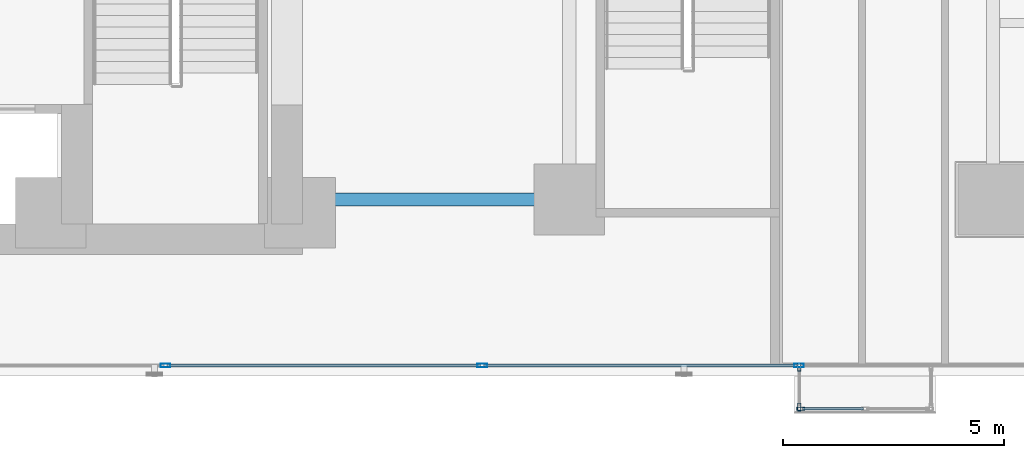
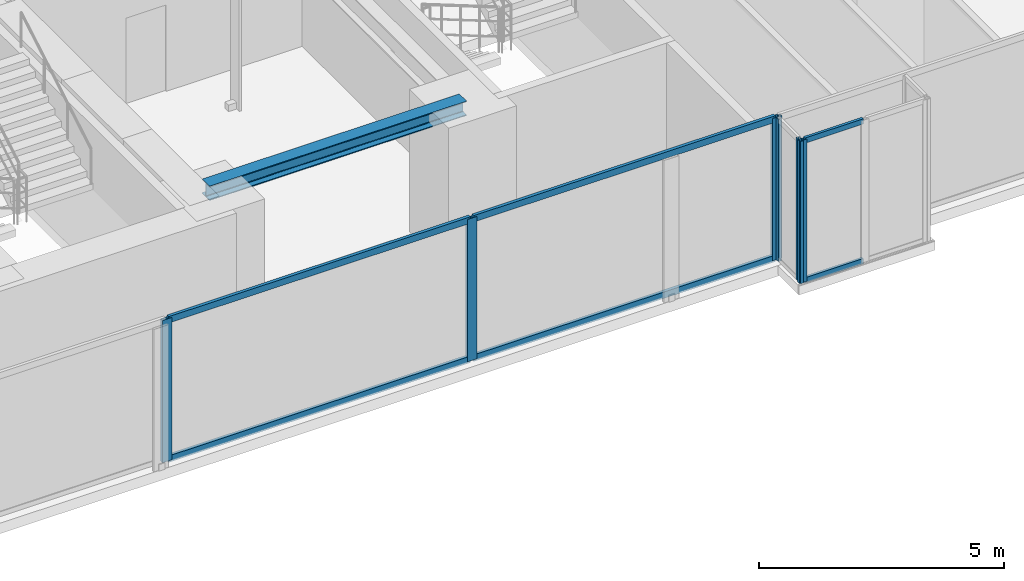
# One storey, part 4 of 29: 12 members, 1 beam, 3 elements without a shape of their own.
"""IFC4 building model written with IfcOpenShell, lengths in metres."""

from ifc_helpers import new_model, si_unit, direction, frame, origin, origin_with_axes, origin_2d, place, context, subcontext, project, spatial, hollow_rectangle, i_section, extrude, source, transform, mapped, material, layer, layer_set, material_profile, profile_set, type_object, element, aggregate, save


model = new_model("IFC4")

# Units and contexts
model_context = context("Model", 3, precision=1e-05, world=origin(), true_north=direction((0.0, 1.0)))
body_context = subcontext(model_context, "Body", "Model", "MODEL_VIEW")
ifc_project = project(units=[si_unit("LENGTHUNIT", "METRE"), si_unit("AREAUNIT", "SQUARE_METRE"), si_unit("VOLUMEUNIT", "CUBIC_METRE"), si_unit("PLANEANGLEUNIT", "RADIAN"), si_unit("MASSUNIT", "GRAM", prefix="KILO")], contexts=[model_context])

# Site, building, storey
site_placement = place(None, origin())
site = spatial("IfcSite", under=ifc_project, at=site_placement, CompositionType="ELEMENT")
building_placement = place(site_placement, origin())
building = spatial("IfcBuilding", under=site, at=building_placement, Name="Kolvaren Waterfront Exchange", CompositionType="ELEMENT")
storey_placement = place(building_placement, frame((0.0, 0.0, 37.199951171875)))
storey = spatial("IfcBuildingStorey", under=building, at=storey_placement, Name="L09", CompositionType="ELEMENT", Elevation=37.199951171875)

# Beam
ifc_material_1 = material(Name="Steel S355", Category="steel")
ifc_material_profile_1 = material_profile(ifc_material_1, i_section(OverallWidth=0.300048828125, OverallDepth=0.360107421875, WebThickness=0.012451171875, FlangeThickness=0.0224609375, FilletRadius=0.027099609375, at=origin_2d()), Name="HEB360")
ifc_profile_set_1 = profile_set([ifc_material_profile_1], Name="Steel S355")
beam_type = type_object("IfcBeamType", Name="STR-BM-HEB360", PredefinedType="SPANDREL", material=ifc_profile_set_1)
beam_placement = place(storey_placement, frame((21.14990234375, 5.199951171875, 3.360107421875), z_axis=(1.0, 0.0, 0.0), x_axis=(0.0, 1.0, 0.0)))
element("IfcBeam", 1, at=beam_placement, inside=storey, type_object=beam_type, Name="L09 east-arm spandrel S1", PredefinedType="SPANDREL", context=body_context, shape_type="SweptSolid", body=[
    extrude(i_section(OverallWidth=0.300048828125, OverallDepth=0.360107421875, WebThickness=0.012451171875, FlangeThickness=0.0224609375, FilletRadius=0.027099609375, at=origin_2d()), origin(), (0.0, 0.0, 1.0), 6.050048828125),
])

# Curtain wall, members
ifc_material_2 = material(Name="Anodised bronze aluminium 6063-T6", Category="aluminium")
ifc_layer_1 = layer(ifc_material_2, 0.219970703125, Name="Anodised bronze aluminium 6063-T6")
ifc_layer_set_1 = layer_set([ifc_layer_1], Name="Anodised bronze aluminium 6063-T6")
curtain_wall_type_1 = type_object("IfcCurtainWallType", Name="ARC-CW-SYS1", PredefinedType="USERDEFINED", material=ifc_layer_set_1)
curtain_wall_1_placement = place(storey_placement, origin())
curtain_wall_1 = element("IfcCurtainWall", 2, at=curtain_wall_1_placement, inside=storey, type_object=curtain_wall_type_1, Name="L09 stick curtain wall CW1 (CW-L09-S)", ObjectType="STICK CURTAIN WALL", PredefinedType="USERDEFINED")
ifc_material_3 = material(Name="Anodised aluminium 6063-T6", Category="aluminium")
ifc_material_profile_2 = material_profile(ifc_material_3, hollow_rectangle(XDim=0.074951171875, YDim=0.159912109375, WallThickness=0.00439453125, at=origin_2d()), Name="ALU-TRN-160x75x4.5")
ifc_profile_set_2 = profile_set([ifc_material_profile_2], Name="Anodised aluminium 6063-T6")
member_type_1 = type_object("IfcMemberType", Name="ARC-CWT-160", PredefinedType="USERDEFINED", material=ifc_profile_set_2)
shared_shape_1 = source(origin_with_axes(), body_context, "Body", "SweptSolid", [
    extrude(hollow_rectangle(XDim=0.074951171875, YDim=0.159912109375, WallThickness=0.00439453125, at=origin_2d()), origin(), (0.0, 0.0, 1.0), 7.094970703125),
])
member_1_placement = place(storey_placement, frame((18.090087890625, 1.43994140625, 0.03759765625), z_axis=(1.0, 0.0, 0.0), x_axis=(0.0, 1.0, 0.0)))
member_1 = element("IfcMember", 3, at=member_1_placement, type_object=member_type_1, Name="CW1 transom 3.1", ObjectType="TRANSOM", PredefinedType="USERDEFINED", context=body_context, shape_type="MappedRepresentation", body=[
    mapped(shared_shape_1, transform((0.0, 0.0, 0.0), x_axis=(1.0, 0.0, 0.0), y_axis=(0.0, 1.0, 0.0), z_axis=(0.0, 0.0, 1.0), scale=1.0)),
])
member_2_placement = place(storey_placement, frame((18.090087890625, 1.43994140625, 3.50244140625), z_axis=(1.0, 0.0, 0.0), x_axis=(0.0, 1.0, 0.0)))
member_2 = element("IfcMember", 4, at=member_2_placement, type_object=member_type_1, Name="CW1 transom 3.2", ObjectType="TRANSOM", PredefinedType="USERDEFINED", context=body_context, shape_type="MappedRepresentation", body=[
    mapped(shared_shape_1, transform((0.0, 0.0, 0.0), x_axis=(1.0, 0.0, 0.0), y_axis=(0.0, 1.0, 0.0), z_axis=(0.0, 0.0, 1.0), scale=1.0)),
])
shared_shape_2 = source(origin_with_axes(), body_context, "Body", "SweptSolid", [
    extrude(hollow_rectangle(XDim=0.074951171875, YDim=0.159912109375, WallThickness=0.00439453125, at=origin_2d()), origin(), (0.0, 0.0, 1.0), 7.09521484375),
])
member_3_placement = place(storey_placement, frame((25.264892578125, 1.43994140625, 0.03759765625), z_axis=(1.0, 0.0, 0.0), x_axis=(0.0, 1.0, 0.0)))
member_3 = element("IfcMember", 5, at=member_3_placement, type_object=member_type_1, Name="CW1 transom 4.1", ObjectType="TRANSOM", PredefinedType="USERDEFINED", context=body_context, shape_type="MappedRepresentation", body=[
    mapped(shared_shape_2, transform((0.0, 0.0, 0.0), x_axis=(1.0, 0.0, 0.0), y_axis=(0.0, 1.0, 0.0), z_axis=(0.0, 0.0, 1.0), scale=1.0)),
])
member_4_placement = place(storey_placement, frame((25.264892578125, 1.43994140625, 3.50244140625), z_axis=(1.0, 0.0, 0.0), x_axis=(0.0, 1.0, 0.0)))
member_4 = element("IfcMember", 6, at=member_4_placement, type_object=member_type_1, Name="CW1 transom 4.2", ObjectType="TRANSOM", PredefinedType="USERDEFINED", context=body_context, shape_type="MappedRepresentation", body=[
    mapped(shared_shape_2, transform((0.0, 0.0, 0.0), x_axis=(1.0, 0.0, 0.0), y_axis=(0.0, 1.0, 0.0), z_axis=(0.0, 0.0, 1.0), scale=1.0)),
])

ifc_layer_2 = layer(ifc_material_2, 0.219970703125, Name="Anodised bronze aluminium 6063-T6")
ifc_layer_set_2 = layer_set([ifc_layer_2], Name="Anodised bronze aluminium 6063-T6")
curtain_wall_type_2 = type_object("IfcCurtainWallType", Name="ARC-CW-SYS3", PredefinedType="USERDEFINED", material=ifc_layer_set_2)
curtain_wall_2_placement = place(storey_placement, origin())
curtain_wall_2 = element("IfcCurtainWall", 7, at=curtain_wall_2_placement, inside=storey, type_object=curtain_wall_type_2, Name="L09 stick curtain wall CW3 (CW-L09-BOX-W)", ObjectType="STICK CURTAIN WALL", PredefinedType="USERDEFINED")
ifc_material_profile_3 = material_profile(ifc_material_2, hollow_rectangle(XDim=0.074951171875, YDim=0.179931640625, WallThickness=0.00439453125, at=origin_2d()), Name="ALU-MUL-180x75x4.5")
ifc_profile_set_3 = profile_set([ifc_material_profile_3], Name="Anodised bronze aluminium 6063-T6")
member_type_2 = type_object("IfcMemberType", Name="ARC-CWM-180", PredefinedType="MULLION", material=ifc_profile_set_3)
shared_shape_3 = source(origin_with_axes(), body_context, "Body", "SweptSolid", [
    extrude(hollow_rectangle(XDim=0.074951171875, YDim=0.179931640625, WallThickness=0.00439453125, at=origin_2d()), origin(), (0.0, 0.0, 1.0), 3.5400390625),
])
member_5_placement = place(storey_placement, frame((32.409912109375, 1.402587890625, 0.0), z_axis=(0.0, 0.0, 1.0), x_axis=(1.0, 0.0, 0.0)))
member_5 = element("IfcMember", 8, at=member_5_placement, type_object=member_type_2, Name="CW3 mullion 1", PredefinedType="MULLION", context=body_context, shape_type="MappedRepresentation", body=[
    mapped(shared_shape_3, transform((0.0, 0.0, 0.0), x_axis=(1.0, 0.0, 0.0), y_axis=(0.0, 1.0, 0.0), z_axis=(0.0, 0.0, 1.0), scale=1.0)),
])
member_6_placement = place(storey_placement, frame((32.409912109375, 0.49755859375, 0.0), z_axis=(0.0, 0.0, 1.0), x_axis=(1.0, 0.0, 0.0)))
member_6 = element("IfcMember", 9, at=member_6_placement, type_object=member_type_2, Name="CW3 mullion 2", PredefinedType="MULLION", context=body_context, shape_type="MappedRepresentation", body=[
    mapped(shared_shape_3, transform((0.0, 0.0, 0.0), x_axis=(1.0, 0.0, 0.0), y_axis=(0.0, 1.0, 0.0), z_axis=(0.0, 0.0, 1.0), scale=1.0)),
])
aggregate(curtain_wall_2, [member_5, member_6])

curtain_wall_3_placement = place(storey_placement, origin())
curtain_wall_3 = element("IfcCurtainWall", 10, at=curtain_wall_3_placement, inside=storey, type_object=curtain_wall_type_2, Name="L09 stick curtain wall CW3 (CW-L09-BOX)", ObjectType="STICK CURTAIN WALL", PredefinedType="USERDEFINED")
member_7_placement = place(storey_placement, frame((32.447509765625, 0.4599609375, 0.0), z_axis=(0.0, 0.0, 1.0), x_axis=(0.0, 1.0, 0.0)))
member_7 = element("IfcMember", 11, at=member_7_placement, type_object=member_type_2, Name="CW3 mullion 1", PredefinedType="MULLION", context=body_context, shape_type="MappedRepresentation", body=[
    mapped(shared_shape_3, transform((0.0, 0.0, 0.0), x_axis=(1.0, 0.0, 0.0), y_axis=(0.0, 1.0, 0.0), z_axis=(0.0, 0.0, 1.0), scale=1.0)),
])
ifc_material_profile_4 = material_profile(ifc_material_2, hollow_rectangle(XDim=0.06494140625, YDim=0.1298828125, WallThickness=0.00390625, at=origin_2d()), Name="ALU-TRN-130x65x4")
ifc_profile_set_4 = profile_set([ifc_material_profile_4], Name="Anodised bronze aluminium 6063-T6")
member_type_3 = type_object("IfcMemberType", Name="ARC-CWT-130", PredefinedType="USERDEFINED", material=ifc_profile_set_4)
shared_shape_4 = source(origin_with_axes(), body_context, "Body", "SweptSolid", [
    extrude(hollow_rectangle(XDim=0.06494140625, YDim=0.1298828125, WallThickness=0.00390625, at=origin_2d()), origin(), (0.0, 0.0, 1.0), 1.37744140625),
])
member_8_placement = place(storey_placement, frame((32.485107421875, 0.4599609375, 0.032470703125), z_axis=(1.0, 0.0, 0.0), x_axis=(0.0, 1.0, 0.0)))
member_8 = element("IfcMember", 12, at=member_8_placement, type_object=member_type_3, Name="CW3 transom 1.1", ObjectType="TRANSOM", PredefinedType="USERDEFINED", context=body_context, shape_type="MappedRepresentation", body=[
    mapped(shared_shape_4, transform((0.0, 0.0, 0.0), x_axis=(1.0, 0.0, 0.0), y_axis=(0.0, 1.0, 0.0), z_axis=(0.0, 0.0, 1.0), scale=1.0)),
])
member_9_placement = place(storey_placement, frame((32.485107421875, 0.4599609375, 3.507568359375), z_axis=(1.0, 0.0, 0.0), x_axis=(0.0, 1.0, 0.0)))
member_9 = element("IfcMember", 13, at=member_9_placement, type_object=member_type_3, Name="CW3 transom 1.2", ObjectType="TRANSOM", PredefinedType="USERDEFINED", context=body_context, shape_type="MappedRepresentation", body=[
    mapped(shared_shape_4, transform((0.0, 0.0, 0.0), x_axis=(1.0, 0.0, 0.0), y_axis=(0.0, 1.0, 0.0), z_axis=(0.0, 0.0, 1.0), scale=1.0)),
])
aggregate(curtain_wall_3, [member_7, member_8, member_9])

# Member
ifc_material_profile_5 = material_profile(ifc_material_3, hollow_rectangle(XDim=0.080078125, YDim=0.219970703125, WallThickness=0.0048828125, at=origin_2d()), Name="ALU-MUL-220x80x5")
ifc_profile_set_5 = profile_set([ifc_material_profile_5], Name="Anodised aluminium 6063-T6")
member_type_4 = type_object("IfcMemberType", Name="ARC-CWM-220", PredefinedType="MULLION", material=ifc_profile_set_5)
shared_shape_5 = source(origin_with_axes(), body_context, "Body", "SweptSolid", [
    extrude(hollow_rectangle(XDim=0.080078125, YDim=0.219970703125, WallThickness=0.0048828125, at=origin_2d()), origin(), (0.0, 0.0, 1.0), 3.5400390625),
])
member_10_placement = place(storey_placement, frame((18.050048828125, 1.43994140625, 0.0), z_axis=(0.0, 0.0, 1.0), x_axis=(0.0, 1.0, 0.0)))
member_10 = element("IfcMember", 14, at=member_10_placement, type_object=member_type_4, Name="CW1 mullion 3", PredefinedType="MULLION", context=body_context, shape_type="MappedRepresentation", body=[
    mapped(shared_shape_5, transform((0.0, 0.0, 0.0), x_axis=(1.0, 0.0, 0.0), y_axis=(0.0, 1.0, 0.0), z_axis=(0.0, 0.0, 1.0), scale=1.0)),
])

member_11_placement = place(storey_placement, frame((25.22509765625, 1.43994140625, 0.0), z_axis=(0.0, 0.0, 1.0), x_axis=(0.0, 1.0, 0.0)))
member_11 = element("IfcMember", 15, at=member_11_placement, type_object=member_type_4, Name="CW1 mullion 4", PredefinedType="MULLION", context=body_context, shape_type="MappedRepresentation", body=[
    mapped(shared_shape_5, transform((0.0, 0.0, 0.0), x_axis=(1.0, 0.0, 0.0), y_axis=(0.0, 1.0, 0.0), z_axis=(0.0, 0.0, 1.0), scale=1.0)),
])

member_12_placement = place(storey_placement, frame((32.39990234375, 1.43994140625, 0.0), z_axis=(0.0, 0.0, 1.0), x_axis=(0.0, 1.0, 0.0)))
member_12 = element("IfcMember", 16, at=member_12_placement, type_object=member_type_4, Name="CW1 mullion 5", PredefinedType="MULLION", context=body_context, shape_type="MappedRepresentation", body=[
    mapped(shared_shape_5, transform((0.0, 0.0, 0.0), x_axis=(1.0, 0.0, 0.0), y_axis=(0.0, 1.0, 0.0), z_axis=(0.0, 0.0, 1.0), scale=1.0)),
])

aggregate(curtain_wall_1, [member_10, member_11, member_12, member_1, member_2, member_3, member_4])

save(model, "model.ifc")
